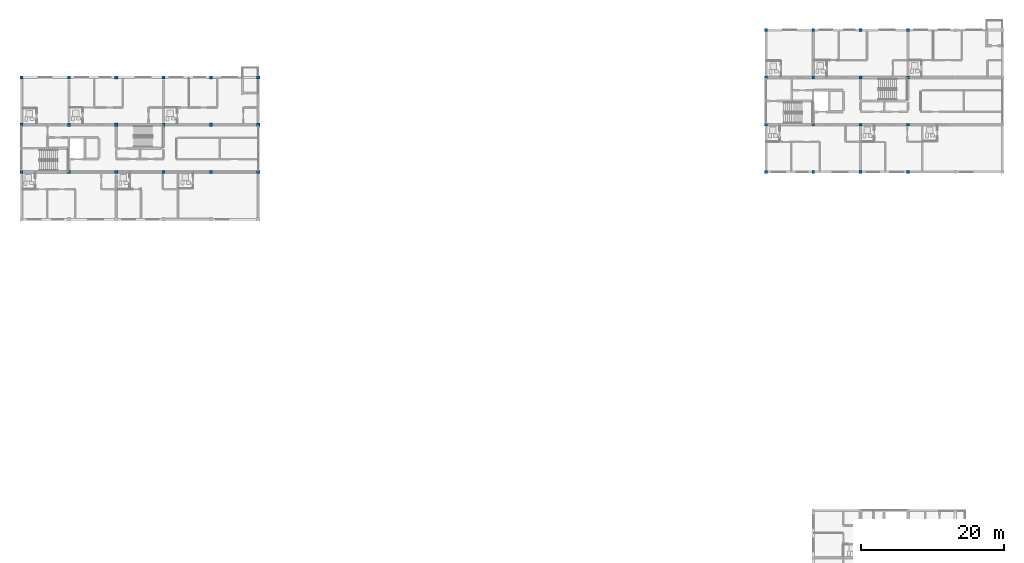
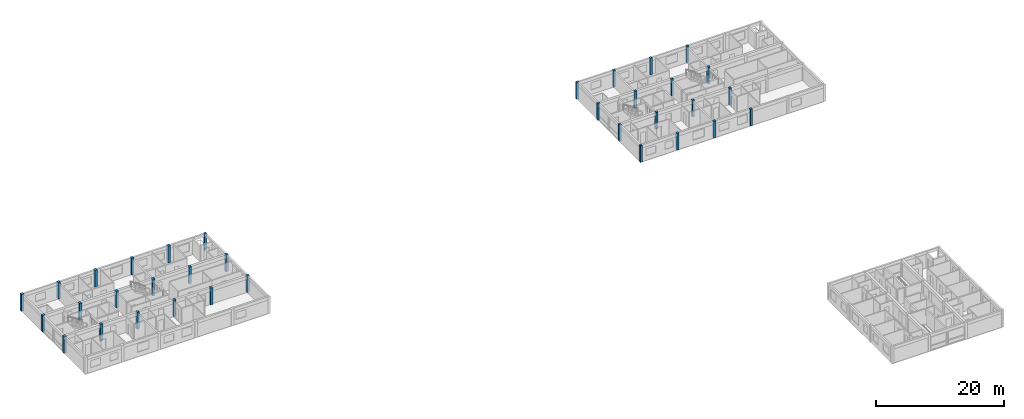
# One storey, part 2 of 34: 34 columns.
"""IFC4 building model written with IfcOpenShell, lengths in metres."""

import ifcopenshell
import ifcopenshell.guid

model = None  # the IFC model being written
_history = None  # IfcOwnerHistory: only IFC2X3 demands one
_inside = {}  # id of a spatial element -> (the spatial element, [elements in it])
_under = {}  # id of a project, library or spatial element -> (it, [spatial elements below it])
_declared = {}  # id of a project -> (the project, [libraries it declares])
_typed = {}  # id of a type object -> (the type object, [elements of that type])
_made_of = {}  # id of a material, layer set ... -> (it, [elements and type objects made of it])


def new_model(schema):
    """Start an empty IFC model of exactly this schema.

    Asked for "IFC4X3", IfcOpenShell would pick the latest addendum, in which some entities
    have other attributes; the version numbers below select the first issue.
    IFC2X3 requires an IfcOwnerHistory on every rooted entity: one is made here for all.
    """
    global model, _history
    if schema == "IFC4X3":
        model = ifcopenshell.file(schema_version=(4, 3, 0, 0))
    else:
        model = ifcopenshell.file(schema=schema)
    _inside.clear()
    _under.clear()
    _declared.clear()
    _typed.clear()
    _made_of.clear()
    _history = None
    if model.schema == "IFC2X3":
        org = make("IfcOrganization", Name="unknown")
        user = make(
            "IfcPersonAndOrganization",
            ThePerson=make("IfcPerson", FamilyName="unknown"),
            TheOrganization=org,
        )
        app = make(
            "IfcApplication",
            ApplicationDeveloper=org,
            Version="unknown",
            ApplicationFullName="unknown",
            ApplicationIdentifier="unknown",
        )
        _history = make(
            "IfcOwnerHistory",
            OwningUser=user,
            OwningApplication=app,
            ChangeAction="ADDED",
            CreationDate=0,
        )
    return model


def make(cls, **values):
    """One entity of the class cls with the attributes given. An attribute that is None is left unset."""
    return model.create_entity(
        cls, **{name: value for name, value in values.items() if value is not None}
    )


def rooted(cls, **values):
    """An entity with a GlobalId (a new one), such as an element, a storey or a relation."""
    return make(cls, GlobalId=ifcopenshell.guid.new(), OwnerHistory=_history, **values)


def si_unit(unit_type, name, prefix=None):
    """IfcSIUnit, for example si_unit("LENGTHUNIT", "METRE", prefix="MILLI")."""
    return make("IfcSIUnit", UnitType=unit_type, Prefix=prefix, Name=name)


def assignment(units):
    """IfcUnitAssignment: the units of a project."""
    return None if units is None else make("IfcUnitAssignment", Units=units)


def point(xyz):
    """IfcCartesianPoint."""
    return None if xyz is None else make("IfcCartesianPoint", Coordinates=xyz)


def direction(xyz):
    """IfcDirection."""
    return None if xyz is None else make("IfcDirection", DirectionRatios=xyz)


def frame(location, z_axis=None, x_axis=None):
    """IfcAxis2Placement3D, a coordinate frame: its origin and axes. An axis left out is left unset."""
    return make(
        "IfcAxis2Placement3D",
        Location=point(location),
        Axis=direction(z_axis),
        RefDirection=direction(x_axis),
    )


def frame_2d(location, x_axis=None):
    """IfcAxis2Placement2D, a coordinate frame in the plane: its origin and x axis."""
    return make(
        "IfcAxis2Placement2D", Location=point(location), RefDirection=direction(x_axis)
    )


def origin():
    """The frame at (0, 0, 0) with its axes left unset."""
    return frame((0.0, 0.0, 0.0))


def origin_2d():
    """The frame at (0, 0) in the plane with its x axis left unset."""
    return frame_2d((0.0, 0.0))


def place(relative_to, where):
    """IfcLocalPlacement: puts the frame where relative to a parent placement (None: the world)."""
    return make(
        "IfcLocalPlacement", PlacementRelTo=relative_to, RelativePlacement=where
    )


def context(
    kind, dimensions, precision=None, world=None, true_north=None, identifier=None
):
    """IfcGeometricRepresentationContext, for example the 3D "Model" context."""
    return make(
        "IfcGeometricRepresentationContext",
        ContextIdentifier=identifier,
        ContextType=kind,
        CoordinateSpaceDimension=dimensions,
        Precision=precision,
        WorldCoordinateSystem=world,
        TrueNorth=true_north,
    )


def subcontext(parent, identifier, kind, view, scale=None):
    """IfcGeometricRepresentationSubContext, for example "Body" below "Model"."""
    return make(
        "IfcGeometricRepresentationSubContext",
        ContextIdentifier=identifier,
        ContextType=kind,
        ParentContext=parent,
        TargetScale=scale,
        TargetView=view,
    )


def project(units=None, contexts=None):
    """IfcProject with its units and contexts."""
    return rooted(
        "IfcProject",
        Name="project",
        RepresentationContexts=contexts,
        UnitsInContext=assignment(units),
    )


def spatial(cls, under=None, at=None, **own):
    """A site, building, storey or space (cls), placed at a placement, below another one or the project."""
    s = rooted(cls, ObjectPlacement=at, **own)
    if under is not None:
        _under.setdefault(under.id(), (under, []))[1].append(s)
    return s


def profile(cls, at=None, kind="AREA", **sizes):
    """A parametric profile (cls). Its sizes go by their IFC names, for example OverallWidth=200.0."""
    return make(cls, ProfileType=kind, Position=at, **sizes)


def rectangle(**sizes):
    """IfcRectangleProfileDef."""
    return profile("IfcRectangleProfileDef", **sizes)


def extrude(swept, where, along, depth):
    """IfcExtrudedAreaSolid: the profile swept, set in the frame where, extruded along a direction by depth."""
    return make(
        "IfcExtrudedAreaSolid",
        SweptArea=swept,
        Position=where,
        ExtrudedDirection=direction(along),
        Depth=depth,
    )


def shape(context_of_items, identifier, shape_type, items):
    """IfcShapeRepresentation: the items that make up one representation, for example the "Body"."""
    return make(
        "IfcShapeRepresentation",
        ContextOfItems=context_of_items,
        RepresentationIdentifier=identifier,
        RepresentationType=shape_type,
        Items=items,
    )


def material(Name=None, Category=None):
    """IfcMaterial."""
    return make("IfcMaterial", Name=Name, Category=Category)


def material_profile(
    of_material, cross_section, Name=None, Category=None, Priority=None
):
    """IfcMaterialProfile: a cross section and its material."""
    return make(
        "IfcMaterialProfile",
        Name=Name,
        Material=of_material,
        Profile=cross_section,
        Priority=Priority,
        Category=Category,
    )


def profile_set(profiles, Name=None, composite=None):
    """IfcMaterialProfileSet."""
    return make(
        "IfcMaterialProfileSet",
        Name=Name,
        MaterialProfiles=profiles,
        CompositeProfile=composite,
    )


def made_of(thing, what):
    """Note that an element or type object is made of a material, layer set ...; save() writes the relation."""
    if what is not None:
        _made_of.setdefault(what.id(), (what, []))[1].append(thing)
    return thing


def type_object(cls, material=None, **own):
    """A type object (cls), such as IfcWallType, which elements share."""
    return made_of(rooted(cls, **own), material)


def element(
    cls,
    number,
    at=None,
    inside=None,
    cuts=None,
    type_object=None,
    material=None,
    context=None,
    identifier="Body",
    shape_type=None,
    held_by="IfcProductDefinitionShape",
    body=None,
    shapes=None,
    **own,
):
    """One element of the class cls, such as IfcWall. Its Tag is "e" and its number.

    at: its placement. inside: the storey or other place that contains it. cuts: it is an
    opening in that element (IfcRelVoidsElement). A single representation is given by context,
    identifier, shape_type and body (its items); several are given by shapes. held_by: the class
    of the entity that holds the representations. save() writes the other relations.
    """
    e = rooted(cls, Tag="e%d" % number, ObjectPlacement=at, **own)
    if body is not None:
        shapes = [shape(context, identifier, shape_type, body)]
    if shapes is not None:
        e.Representation = make(held_by, Representations=shapes)
    if inside is not None:
        _inside.setdefault(inside.id(), (inside, []))[1].append(e)
    if cuts is not None:
        rooted(
            "IfcRelVoidsElement", RelatingBuildingElement=cuts, RelatedOpeningElement=e
        )
    if type_object is not None:
        _typed.setdefault(type_object.id(), (type_object, []))[1].append(e)
    return made_of(e, material)


def aggregate(whole, parts):
    """IfcRelAggregates: a whole, such as a stair, and the parts it consists of."""
    return rooted("IfcRelAggregates", RelatingObject=whole, RelatedObjects=parts)


def save(model, path):
    """Write the relations noted so far, then the file.

    IfcRelAggregates (storeys below a building ...), IfcRelContainedInSpatialStructure (elements
    in a storey), IfcRelDefinesByType, IfcRelAssociatesMaterial and IfcRelDeclares: one each for
    every whole, place, type object, material and project.
    """
    for whole, parts in _under.values():
        aggregate(whole, parts)
    for where, things in _inside.values():
        rooted(
            "IfcRelContainedInSpatialStructure",
            RelatedElements=things,
            RelatingStructure=where,
        )
    for kind, things in _typed.values():
        rooted("IfcRelDefinesByType", RelatedObjects=things, RelatingType=kind)
    for what, things in _made_of.values():
        rooted("IfcRelAssociatesMaterial", RelatedObjects=things, RelatingMaterial=what)
    for by, libraries in _declared.values():
        rooted("IfcRelDeclares", RelatingContext=by, RelatedDefinitions=libraries)
    model.write(path)


model = new_model("IFC4")

# Units and contexts
model_context = context("Model", 3, precision=1e-05, world=origin(), true_north=direction((0.0, 1.0)))
body_context = subcontext(model_context, "Body", "Model", "MODEL_VIEW")
ifc_project = project(units=[si_unit("LENGTHUNIT", "METRE"), si_unit("AREAUNIT", "SQUARE_METRE"), si_unit("VOLUMEUNIT", "CUBIC_METRE"), si_unit("PLANEANGLEUNIT", "RADIAN"), si_unit("MASSUNIT", "GRAM", prefix="KILO")], contexts=[model_context])

# Site, building, storey
site_placement = place(None, origin())
site = spatial("IfcSite", under=ifc_project, at=site_placement, CompositionType="ELEMENT")
building_placement = place(site_placement, origin())
building = spatial("IfcBuilding", under=site, at=building_placement, Name="Kernevlak Ridge Housing Community", CompositionType="ELEMENT")
storey_placement = place(building_placement, frame((0.0, 0.0, 40.39990234375)))
storey = spatial("IfcBuildingStorey", under=building, at=storey_placement, Name="L12", CompositionType="ELEMENT", Elevation=40.39990234375)

# Columns
ifc_material = material(Name="Concrete C35/45", Category="concrete")
ifc_material_profile_1 = material_profile(ifc_material, rectangle(XDim=0.449951171875, YDim=0.449951171875, at=origin_2d()), Name="RC 450x450")
ifc_profile_set_1 = profile_set([ifc_material_profile_1], Name="Concrete C35/45")
column_type_1 = type_object("IfcColumnType", Name="C-04", PredefinedType="COLUMN", material=ifc_profile_set_1)
for number, where, z_axis, x_axis, name in (
    (1, (15.60009765625, 82.60009765625, 0.0), (0.0, 0.0, 1.0), (1.0, 0.0, 0.0), "Column C-04 COL-A-L12-00-1"),
    (2, (15.60009765625, 89.199951171875, 0.0), (0.0, 0.0, 1.0), (1.0, 0.0, 0.0), "Column C-04 COL-A-L12-00-2"),
    (3, (15.60009765625, 95.800048828125, 0.0), (0.0, 0.0, 1.0), (1.0, 0.0, 0.0), "Column C-04 COL-A-L12-00-3"),
    (4, (22.199951171875, 82.60009765625, 0.0), (0.0, 0.0, 1.0), (1.0, 0.0, 0.0), "Column C-04 COL-A-L12-01-1"),
    (5, (22.199951171875, 89.199951171875, 0.0), (0.0, 0.0, 1.0), (1.0, 0.0, 0.0), "Column C-04 COL-A-L12-01-2"),
    (6, (22.199951171875, 95.800048828125, 0.0), (0.0, 0.0, 1.0), (1.0, 0.0, 0.0), "Column C-04 COL-A-L12-01-3"),
    (7, (28.800048828125, 82.60009765625, 0.0), (0.0, 0.0, 1.0), (1.0, 0.0, 0.0), "Column C-04 COL-A-L12-02-1"),
    (8, (28.800048828125, 89.199951171875, 0.0), (0.0, 0.0, 1.0), (1.0, 0.0, 0.0), "Column C-04 COL-A-L12-02-2"),
    (9, (28.800048828125, 95.800048828125, 0.0), (0.0, 0.0, 1.0), (1.0, 0.0, 0.0), "Column C-04 COL-A-L12-02-3"),
    (10, (35.39990234375, 82.60009765625, 0.0), (0.0, 0.0, 1.0), (1.0, 0.0, 0.0), "Column C-04 COL-A-L12-03-1"),
    (11, (35.39990234375, 89.199951171875, 0.0), (0.0, 0.0, 1.0), (1.0, 0.0, 0.0), "Column C-04 COL-A-L12-03-2"),
    (12, (35.39990234375, 95.800048828125, 0.0), (0.0, 0.0, 1.0), (1.0, 0.0, 0.0), "Column C-04 COL-A-L12-03-3"),
    (13, (42.0, 82.60009765625, 0.0), (0.0, 0.0, 1.0), (1.0, 0.0, 0.0), "Column C-04 COL-A-L12-04-1"),
    (14, (42.0, 89.199951171875, 0.0), (0.0, 0.0, 1.0), (1.0, 0.0, 0.0), "Column C-04 COL-A-L12-04-2"),
    (15, (42.0, 95.800048828125, 0.0), (0.0, 0.0, 1.0), (1.0, 0.0, 0.0), "Column C-04 COL-A-L12-04-3"),
    (16, (48.60009765625, 82.60009765625, 0.0), (0.0, 0.0, 1.0), (1.0, 0.0, 0.0), "Column C-04 COL-A-L12-05-1"),
    (17, (48.60009765625, 89.199951171875, 0.0), (0.0, 0.0, 1.0), (1.0, 0.0, 0.0), "Column C-04 COL-A-L12-05-2"),
    (18, (48.60009765625, 95.800048828125, 0.0), (0.0, 0.0, 1.0), (1.0, 0.0, 0.0), "Column C-04 COL-A-L12-05-3"),
):
    element("IfcColumn", number, at=place(storey_placement, frame(where, z_axis=z_axis, x_axis=x_axis)), inside=storey, type_object=column_type_1, Name=name, PredefinedType="COLUMN", context=body_context, shape_type="SweptSolid", body=[
        extrude(rectangle(XDim=0.449951171875, YDim=0.449951171875, at=origin_2d()), origin(), (0.0, 0.0, 1.0), 3.2001953125),
    ])
ifc_material_profile_2 = material_profile(ifc_material, rectangle(XDim=0.39990234375, YDim=0.39990234375, at=origin_2d()), Name="RC 400x400")
ifc_profile_set_2 = profile_set([ifc_material_profile_2], Name="Concrete C35/45")
column_type_2 = type_object("IfcColumnType", Name="C-05", PredefinedType="COLUMN", material=ifc_profile_set_2)
for number, where, z_axis, x_axis, name in (
    (19, (119.39990234375, 82.60009765625, 0.0), (0.0, 0.0, 1.0), (1.0, 0.0, 0.0), "Column C-05 COL-B-L12-00-0"),
    (20, (119.39990234375, 89.199951171875, 0.0), (0.0, 0.0, 1.0), (1.0, 0.0, 0.0), "Column C-05 COL-B-L12-00-1"),
    (21, (119.39990234375, 95.800048828125, 0.0), (0.0, 0.0, 1.0), (1.0, 0.0, 0.0), "Column C-05 COL-B-L12-00-2"),
    (22, (119.39990234375, 102.39990234375, 0.0), (0.0, 0.0, 1.0), (1.0, 0.0, 0.0), "Column C-05 COL-B-L12-00-3"),
    (23, (126.0, 82.60009765625, 0.0), (0.0, 0.0, 1.0), (1.0, 0.0, 0.0), "Column C-05 COL-B-L12-01-0"),
    (24, (126.0, 89.199951171875, 0.0), (0.0, 0.0, 1.0), (1.0, 0.0, 0.0), "Column C-05 COL-B-L12-01-1"),
    (25, (126.0, 95.800048828125, 0.0), (0.0, 0.0, 1.0), (1.0, 0.0, 0.0), "Column C-05 COL-B-L12-01-2"),
    (26, (126.0, 102.39990234375, 0.0), (0.0, 0.0, 1.0), (1.0, 0.0, 0.0), "Column C-05 COL-B-L12-01-3"),
    (27, (132.60009765625, 82.60009765625, 0.0), (0.0, 0.0, 1.0), (1.0, 0.0, 0.0), "Column C-05 COL-B-L12-02-0"),
    (28, (132.60009765625, 89.199951171875, 0.0), (0.0, 0.0, 1.0), (1.0, 0.0, 0.0), "Column C-05 COL-B-L12-02-1"),
    (29, (132.60009765625, 95.800048828125, 0.0), (0.0, 0.0, 1.0), (1.0, 0.0, 0.0), "Column C-05 COL-B-L12-02-2"),
    (30, (132.60009765625, 102.39990234375, 0.0), (0.0, 0.0, 1.0), (1.0, 0.0, 0.0), "Column C-05 COL-B-L12-02-3"),
    (31, (139.199951171875, 82.60009765625, 0.0), (0.0, 0.0, 1.0), (1.0, 0.0, 0.0), "Column C-05 COL-B-L12-03-0"),
    (32, (139.199951171875, 89.199951171875, 0.0), (0.0, 0.0, 1.0), (1.0, 0.0, 0.0), "Column C-05 COL-B-L12-03-1"),
    (33, (139.199951171875, 95.800048828125, 0.0), (0.0, 0.0, 1.0), (1.0, 0.0, 0.0), "Column C-05 COL-B-L12-03-2"),
    (34, (139.199951171875, 102.39990234375, 0.0), (0.0, 0.0, 1.0), (1.0, 0.0, 0.0), "Column C-05 COL-B-L12-03-3"),
):
    element("IfcColumn", number, at=place(storey_placement, frame(where, z_axis=z_axis, x_axis=x_axis)), inside=storey, type_object=column_type_2, Name=name, PredefinedType="COLUMN", context=body_context, shape_type="SweptSolid", body=[
        extrude(rectangle(XDim=0.39990234375, YDim=0.39990234375, at=origin_2d()), origin(), (0.0, 0.0, 1.0), 3.2001953125),
    ])

save(model, "model.ifc")
